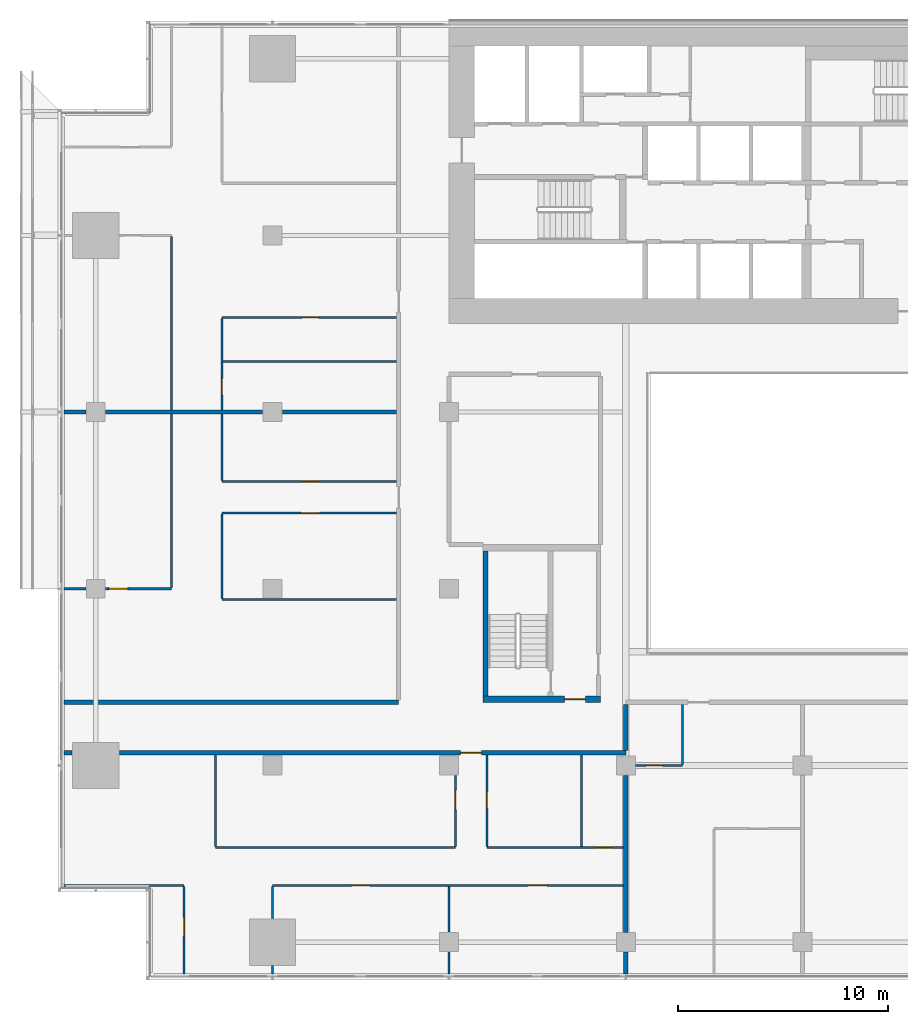
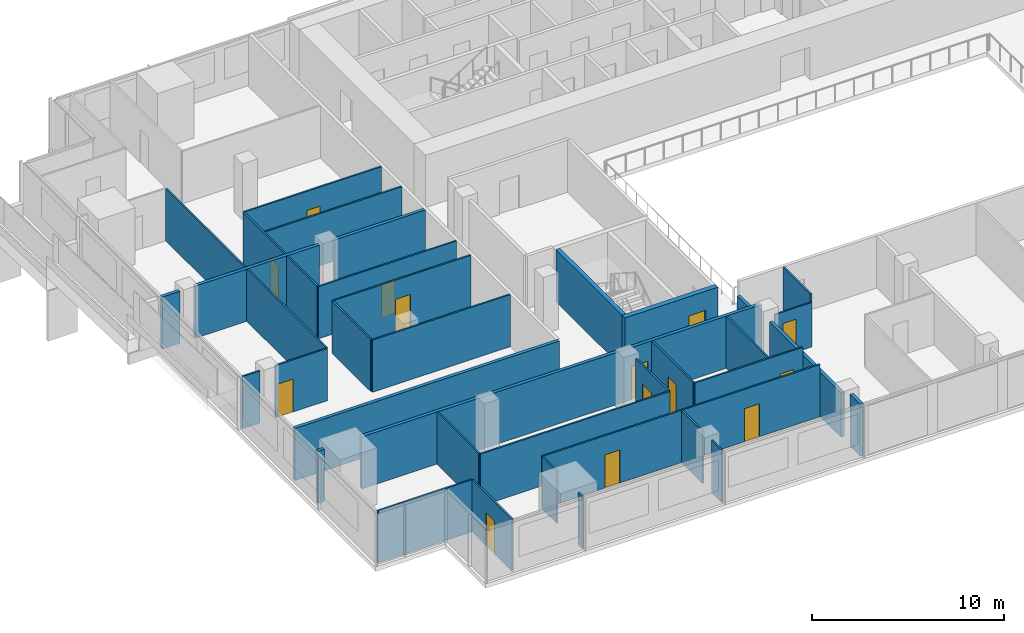
# One storey, part 16 of 25: 38 walls, 14 doors, 14 openings.
"""IFC4 building model written with IfcOpenShell, lengths in metres."""

from ifc_helpers import new_model, si_unit, direction, frame, frame_2d, origin, place, context, subcontext, project, spatial, rectangle, extrude, material, layer, layer_set, type_object, element, fill, save


model = new_model("IFC4")

# Units and contexts
model_context = context("Model", 3, precision=1e-05, world=origin(), true_north=direction((0.0, 1.0)))
body_context = subcontext(model_context, "Body", "Model", "MODEL_VIEW")
ifc_project = project(units=[si_unit("LENGTHUNIT", "METRE"), si_unit("AREAUNIT", "SQUARE_METRE"), si_unit("VOLUMEUNIT", "CUBIC_METRE"), si_unit("PLANEANGLEUNIT", "RADIAN"), si_unit("MASSUNIT", "GRAM", prefix="KILO")], contexts=[model_context])

# Site, building, storey
site_placement = place(None, origin())
site = spatial("IfcSite", under=ifc_project, at=site_placement, CompositionType="ELEMENT")
building_placement = place(site_placement, origin())
building = spatial("IfcBuilding", under=site, at=building_placement, Name="Saffron Gate Tower", CompositionType="ELEMENT")
storey_placement = place(building_placement, frame((0.0, 0.0, 73.199951171875)))
storey = spatial("IfcBuildingStorey", under=building, at=storey_placement, Name="L17", CompositionType="ELEMENT", Elevation=73.199951171875)

# Wall
ifc_material_1 = material(Name="Concrete C70", Category="concrete")
ifc_layer_1 = layer(ifc_material_1, 0.25)
ifc_layer_set_1 = layer_set([ifc_layer_1], Name="CW2 RC core wall 250 C70")
wall_type_1 = type_object("IfcWallType", Name="CW2 RC core wall 250 C70", PredefinedType="SOLIDWALL", material=ifc_layer_set_1)
wall_1_placement = place(storey_placement, frame((68.324951171875, 43.5, 0.0), z_axis=(0.0, 0.0, 1.0), x_axis=(0.0, 1.0, 0.0)))
element("IfcWall", 1, at=wall_1_placement, inside=storey, type_object=wall_type_1, Name="Wall CW2-L17-D-2", PredefinedType="SOLIDWALL", context=body_context, shape_type="SweptSolid", body=[
    extrude(rectangle(XDim=6.89990234375, YDim=0.25, at=frame_2d((3.449951171875, 0.0))), origin(), (0.0, 0.0, 1.0), 3.320068359375),
])

# Wall, opening, door
ifc_layer_2 = layer(ifc_material_1, 0.300048828125)
ifc_layer_set_2 = layer_set([ifc_layer_2], Name="CW5 RC core wall 300 C70")
wall_type_2 = type_object("IfcWallType", Name="CW5 RC core wall 300 C70", PredefinedType="SOLIDWALL", material=ifc_layer_set_2)
wall_2_placement = place(storey_placement, frame((68.199951171875, 43.35009765625, 0.0), z_axis=(0.0, 0.0, 1.0), x_axis=(1.0, 0.0, 0.0)))
wall_2 = element("IfcWall", 2, at=wall_2_placement, inside=storey, type_object=wall_type_2, Name="Wall CW5-L17-D-1", PredefinedType="SOLIDWALL", context=body_context, shape_type="SweptSolid", body=[
    extrude(rectangle(XDim=5.60009765625, YDim=0.300048828125, at=frame_2d((2.800048828125, 0.0))), origin(), (0.0, 0.0, 1.0), 3.320068359375),
])
opening_1_placement = place(wall_2_placement, frame((3.875, 0.0, 0.0)))
opening_1 = element("IfcOpeningElement", 3, at=opening_1_placement, cuts=wall_2, Name="Opening CR-18", PredefinedType="OPENING", context=body_context, shape_type="SweptSolid", body=[
    extrude(rectangle(XDim=1.0, YDim=2.10009765625, at=frame_2d((0.5, 1.050048828125))), frame((0.0, 0.16015625, 0.0), z_axis=(0.0, -1.0, 0.0), x_axis=(1.0, 0.0, 0.0)), (0.0, 0.0, 1.0), 0.320068359375),
])
ifc_material_2 = material(Name="Steel fire door set", Category="steel")
door_type_1 = type_object("IfcDoorType", Name="CD4 Lobby door 1000x2100 EI 120", OperationType="NOTDEFINED", PredefinedType="DOOR", material=ifc_material_2)
door_1_placement = place(opening_1_placement, origin())
door_1 = element("IfcDoor", 4, at=door_1_placement, inside=storey, type_object=door_type_1, Name="DOOR CR-18", OperationType="SINGLE_SWING_RIGHT", OverallHeight=2.10009765625, OverallWidth=1.0, PredefinedType="DOOR", context=body_context, shape_type="SweptSolid", body=[
    extrude(rectangle(XDim=1.0, YDim=2.10009765625, at=frame_2d((0.5, 1.050048828125))), frame((0.0, 0.02490234375, 0.0), z_axis=(0.0, -1.0, 0.0), x_axis=(1.0, 0.0, 0.0)), (0.0, 0.0, 1.0), 0.050048828125),
])
fill(opening_1, door_1)

# Wall
ifc_material_3 = material(Name="Plasterboard on steel studs", Category="steel")
ifc_layer_3 = layer(ifc_material_3, 0.10009765625)
ifc_layer_set_3 = layer_set([ifc_layer_3], Name="PW1 Partition 100")
wall_type_3 = type_object("IfcWallType", Name="PW1 Partition 100", PredefinedType="PARTITIONING", material=ifc_layer_set_3)
wall_3_placement = place(storey_placement, frame((48.280029296875, 34.5, 0.0), z_axis=(0.0, 0.0, 1.0), x_axis=(1.0, 0.0, 0.0)))
element("IfcWall", 5, at=wall_3_placement, inside=storey, type_object=wall_type_3, Name="Partition A4-1", PredefinedType="PARTITIONING", context=body_context, shape_type="SweptSolid", body=[
    extrude(rectangle(XDim=5.719970703125, YDim=0.10009765625, at=frame_2d((2.85986328125, 0.0))), origin(), (0.0, 0.0, 1.0), 3.320068359375),
])

# Wall, openings, doors
wall_4_placement = place(storey_placement, frame((74.89990234375, 34.5, 0.0), z_axis=(0.0, 0.0, 1.0), x_axis=(-1.0, 0.0, 0.0)))
wall_4 = element("IfcWall", 6, at=wall_4_placement, inside=storey, type_object=wall_type_3, Name="Partition A4-2", PredefinedType="PARTITIONING", context=body_context, shape_type="SweptSolid", body=[
    extrude(rectangle(XDim=16.699951171875, YDim=0.10009765625, at=frame_2d((8.35009765625, 0.0))), origin(), (0.0, 0.0, 1.0), 3.320068359375),
])
opening_2_placement = place(wall_4_placement, frame((3.64990234375, 0.0, 0.0)))
opening_2 = element("IfcOpeningElement", 7, at=opening_2_placement, cuts=wall_4, Name="Opening A4-11", PredefinedType="OPENING", context=body_context, shape_type="SweptSolid", body=[
    extrude(rectangle(XDim=0.89990234375, YDim=2.10009765625, at=frame_2d((0.449951171875, 1.050048828125))), frame((0.0, 0.06005859375, 0.0), z_axis=(0.0, -1.0, 0.0), x_axis=(1.0, 0.0, 0.0)), (0.0, 0.0, 1.0), 0.1201171875),
])
opening_3_placement = place(wall_4_placement, frame((12.050048828125, 0.0, 0.0)))
opening_3 = element("IfcOpeningElement", 8, at=opening_3_placement, cuts=wall_4, Name="Opening A4-10", PredefinedType="OPENING", context=body_context, shape_type="SweptSolid", body=[
    extrude(rectangle(XDim=0.89990234375, YDim=2.10009765625, at=frame_2d((0.449951171875, 1.050048828125))), frame((0.0, 0.06005859375, 0.0), z_axis=(0.0, -1.0, 0.0), x_axis=(1.0, 0.0, 0.0)), (0.0, 0.0, 1.0), 0.1201171875),
])
ifc_material_4 = material(Name="Timber door set", Category="wood")
door_type_2 = type_object("IfcDoorType", Name="RD1 Room door 900x2100", OperationType="NOTDEFINED", PredefinedType="DOOR", material=ifc_material_4)
door_2_placement = place(opening_2_placement, origin())
door_2 = element("IfcDoor", 9, at=door_2_placement, inside=storey, type_object=door_type_2, Name="Door A4-11", OperationType="SINGLE_SWING_LEFT", OverallHeight=2.10009765625, OverallWidth=0.89990234375, PredefinedType="DOOR", context=body_context, shape_type="SweptSolid", body=[
    extrude(rectangle(XDim=0.89990234375, YDim=2.10009765625, at=frame_2d((0.449951171875, 1.050048828125))), frame((0.0, 0.02490234375, 0.0), z_axis=(0.0, -1.0, 0.0), x_axis=(1.0, 0.0, 0.0)), (0.0, 0.0, 1.0), 0.050048828125),
])
fill(opening_2, door_2)
door_3_placement = place(opening_3_placement, origin())
door_3 = element("IfcDoor", 10, at=door_3_placement, inside=storey, type_object=door_type_2, Name="Door A4-10", OperationType="SINGLE_SWING_RIGHT", OverallHeight=2.10009765625, OverallWidth=0.89990234375, PredefinedType="DOOR", context=body_context, shape_type="SweptSolid", body=[
    extrude(rectangle(XDim=0.89990234375, YDim=2.10009765625, at=frame_2d((0.449951171875, 1.050048828125))), frame((0.0, 0.02490234375, 0.0), z_axis=(0.0, -1.0, 0.0), x_axis=(1.0, 0.0, 0.0)), (0.0, 0.0, 1.0), 0.050048828125),
])
fill(opening_3, door_3)

# Wall
wall_5_placement = place(storey_placement, frame((55.5, 36.300048828125, 0.0), z_axis=(0.0, 0.0, 1.0), x_axis=(1.0, 0.0, 0.0)))
element("IfcWall", 11, at=wall_5_placement, inside=storey, type_object=wall_type_3, Name="Partition A4-4", PredefinedType="PARTITIONING", context=body_context, shape_type="SweptSolid", body=[
    extrude(rectangle(XDim=11.39990234375, YDim=0.10009765625, at=frame_2d((5.699951171875, 0.0))), origin(), (0.0, 0.0, 1.0), 3.320068359375),
])

# Wall, opening, door
wall_6_placement = place(storey_placement, frame((68.39990234375, 36.300048828125, 0.0), z_axis=(0.0, 0.0, 1.0), x_axis=(1.0, 0.0, 0.0)))
wall_6 = element("IfcWall", 12, at=wall_6_placement, inside=storey, type_object=wall_type_3, Name="Partition A4-5", PredefinedType="PARTITIONING", context=body_context, shape_type="SweptSolid", body=[
    extrude(rectangle(XDim=6.5, YDim=0.10009765625, at=frame_2d((3.25, 0.0))), origin(), (0.0, 0.0, 1.0), 3.320068359375),
])
opening_4_placement = place(wall_6_placement, frame((5.14990234375, 0.0, 0.0)))
opening_4 = element("IfcOpeningElement", 13, at=opening_4_placement, cuts=wall_6, Name="Opening A4-35", PredefinedType="OPENING", context=body_context, shape_type="SweptSolid", body=[
    extrude(rectangle(XDim=0.800048828125, YDim=2.10009765625, at=frame_2d((0.39990234375, 1.050048828125))), frame((0.0, 0.06005859375, 0.0), z_axis=(0.0, -1.0, 0.0), x_axis=(1.0, 0.0, 0.0)), (0.0, 0.0, 1.0), 0.1201171875),
])
door_type_3 = type_object("IfcDoorType", Name="RD2 Bathroom door 800x2100", OperationType="NOTDEFINED", PredefinedType="DOOR", material=ifc_material_4)
door_4_placement = place(opening_4_placement, origin())
door_4 = element("IfcDoor", 14, at=door_4_placement, inside=storey, type_object=door_type_3, Name="Door A4-35", OperationType="SINGLE_SWING_RIGHT", OverallHeight=2.10009765625, OverallWidth=0.800048828125, PredefinedType="DOOR", context=body_context, shape_type="SweptSolid", body=[
    extrude(rectangle(XDim=0.800048828125, YDim=2.10009765625, at=frame_2d((0.39990234375, 1.050048828125))), frame((0.0, 0.02490234375, 0.0), z_axis=(0.0, -1.0, 0.0), x_axis=(1.0, 0.0, 0.0)), (0.0, 0.0, 1.0), 0.050048828125),
])
fill(opening_4, door_4)

wall_7_placement = place(storey_placement, frame((75.469970703125, 40.199951171875, 0.0), z_axis=(0.0, 0.0, 1.0), x_axis=(1.0, 0.0, 0.0)))
wall_7 = element("IfcWall", 15, at=wall_7_placement, inside=storey, type_object=wall_type_3, Name="Partition A4-9", PredefinedType="PARTITIONING", context=body_context, shape_type="SweptSolid", body=[
    extrude(rectangle(XDim=2.22998046875, YDim=0.10009765625, at=frame_2d((1.114990234375, 0.0))), origin(), (0.0, 0.0, 1.0), 2.830078125),
])
opening_5_placement = place(wall_7_placement, frame((0.47998046875, 0.0, 0.0)))
opening_5 = element("IfcOpeningElement", 16, at=opening_5_placement, cuts=wall_7, Name="Opening A4-36", PredefinedType="OPENING", context=body_context, shape_type="SweptSolid", body=[
    extrude(rectangle(XDim=0.800048828125, YDim=2.10009765625, at=frame_2d((0.39990234375, 1.050048828125))), frame((0.0, 0.06005859375, 0.0), z_axis=(0.0, -1.0, 0.0), x_axis=(1.0, 0.0, 0.0)), (0.0, 0.0, 1.0), 0.1201171875),
])
door_5_placement = place(opening_5_placement, origin())
door_5 = element("IfcDoor", 17, at=door_5_placement, inside=storey, type_object=door_type_3, Name="Door A4-36", OperationType="SINGLE_SWING_LEFT", OverallHeight=2.10009765625, OverallWidth=0.800048828125, PredefinedType="DOOR", context=body_context, shape_type="SweptSolid", body=[
    extrude(rectangle(XDim=0.800048828125, YDim=2.10009765625, at=frame_2d((0.39990234375, 1.050048828125))), frame((0.0, 0.02490234375, 0.0), z_axis=(0.0, -1.0, 0.0), x_axis=(1.0, 0.0, 0.0)), (0.0, 0.0, 1.0), 0.050048828125),
])
fill(opening_5, door_5)

# Walls
wall_8_placement = place(storey_placement, frame((55.800048828125, 48.0810546875, 0.0), z_axis=(0.0, 0.0, 1.0), x_axis=(1.0, 0.0, 0.0)))
element("IfcWall", 18, at=wall_8_placement, inside=storey, type_object=wall_type_3, Name="Partition A4-18", PredefinedType="PARTITIONING", context=body_context, shape_type="SweptSolid", body=[
    extrude(rectangle(XDim=8.300048828125, YDim=0.10009765625, at=frame_2d((4.14990234375, 0.0))), origin(), (0.0, 0.0, 1.0), 3.320068359375),
])
wall_9_placement = place(storey_placement, frame((48.280029296875, 48.60009765625, 0.0), z_axis=(0.0, 0.0, 1.0), x_axis=(1.0, 0.0, 0.0)))
element("IfcWall", 19, at=wall_9_placement, inside=storey, type_object=wall_type_3, Name="Partition A4-19", PredefinedType="PARTITIONING", context=body_context, shape_type="SweptSolid", body=[
    extrude(rectangle(XDim=1.050048828125, YDim=0.10009765625, at=frame_2d((0.52490234375, 0.0))), origin(), (0.0, 0.0, 1.0), 3.320068359375),
])

# Wall, opening, door
wall_10_placement = place(storey_placement, frame((50.27001953125, 48.60009765625, 0.0), z_axis=(0.0, 0.0, 1.0), x_axis=(1.0, 0.0, 0.0)))
wall_10 = element("IfcWall", 20, at=wall_10_placement, inside=storey, type_object=wall_type_3, Name="Partition A4-20", PredefinedType="PARTITIONING", context=body_context, shape_type="SweptSolid", body=[
    extrude(rectangle(XDim=3.1298828125, YDim=0.10009765625, at=frame_2d((1.56494140625, 0.0))), origin(), (0.0, 0.0, 1.0), 3.320068359375),
])
opening_6_placement = place(wall_10_placement, frame((0.14990234375, 0.0, 0.0)))
opening_6 = element("IfcOpeningElement", 21, at=opening_6_placement, cuts=wall_10, Name="Opening A4-23", PredefinedType="OPENING", context=body_context, shape_type="SweptSolid", body=[
    extrude(rectangle(XDim=0.89990234375, YDim=2.10009765625, at=frame_2d((0.449951171875, 1.050048828125))), frame((0.0, 0.06005859375, 0.0), z_axis=(0.0, -1.0, 0.0), x_axis=(1.0, 0.0, 0.0)), (0.0, 0.0, 1.0), 0.1201171875),
])
door_6_placement = place(opening_6_placement, origin())
door_6 = element("IfcDoor", 22, at=door_6_placement, inside=storey, type_object=door_type_2, Name="Door A4-23", OperationType="SINGLE_SWING_LEFT", OverallHeight=2.10009765625, OverallWidth=0.89990234375, PredefinedType="DOOR", context=body_context, shape_type="SweptSolid", body=[
    extrude(rectangle(XDim=0.89990234375, YDim=2.10009765625, at=frame_2d((0.449951171875, 1.050048828125))), frame((0.0, 0.02490234375, 0.0), z_axis=(0.0, -1.0, 0.0), x_axis=(1.0, 0.0, 0.0)), (0.0, 0.0, 1.0), 0.050048828125),
])
fill(opening_6, door_6)

wall_11_placement = place(storey_placement, frame((64.10009765625, 52.199951171875, 0.0), z_axis=(0.0, 0.0, 1.0), x_axis=(-1.0, 0.0, 0.0)))
wall_11 = element("IfcWall", 23, at=wall_11_placement, inside=storey, type_object=wall_type_3, Name="Partition A4-25", PredefinedType="PARTITIONING", context=body_context, shape_type="SweptSolid", body=[
    extrude(rectangle(XDim=8.300048828125, YDim=0.10009765625, at=frame_2d((4.14990234375, 0.0))), origin(), (0.0, 0.0, 1.0), 3.320068359375),
])
opening_7_placement = place(wall_11_placement, frame((3.64990234375, 0.0, 0.0)))
opening_7 = element("IfcOpeningElement", 24, at=opening_7_placement, cuts=wall_11, Name="Opening A4-24", PredefinedType="OPENING", context=body_context, shape_type="SweptSolid", body=[
    extrude(rectangle(XDim=0.89990234375, YDim=2.10009765625, at=frame_2d((0.449951171875, 1.050048828125))), frame((0.0, 0.06005859375, 0.0), z_axis=(0.0, -1.0, 0.0), x_axis=(1.0, 0.0, 0.0)), (0.0, 0.0, 1.0), 0.1201171875),
])
door_7_placement = place(opening_7_placement, origin())
door_7 = element("IfcDoor", 25, at=door_7_placement, inside=storey, type_object=door_type_2, Name="Door A4-24", OperationType="SINGLE_SWING_LEFT", OverallHeight=2.10009765625, OverallWidth=0.89990234375, PredefinedType="DOOR", context=body_context, shape_type="SweptSolid", body=[
    extrude(rectangle(XDim=0.89990234375, YDim=2.10009765625, at=frame_2d((0.449951171875, 1.050048828125))), frame((0.0, 0.02490234375, 0.0), z_axis=(0.0, -1.0, 0.0), x_axis=(1.0, 0.0, 0.0)), (0.0, 0.0, 1.0), 0.050048828125),
])
fill(opening_7, door_7)

wall_12_placement = place(storey_placement, frame((55.800048828125, 53.699951171875, 0.0), z_axis=(0.0, 0.0, 1.0), x_axis=(1.0, 0.0, 0.0)))
wall_12 = element("IfcWall", 26, at=wall_12_placement, inside=storey, type_object=wall_type_3, Name="Partition A4-26", PredefinedType="PARTITIONING", context=body_context, shape_type="SweptSolid", body=[
    extrude(rectangle(XDim=8.300048828125, YDim=0.10009765625, at=frame_2d((4.14990234375, 0.0))), origin(), (0.0, 0.0, 1.0), 3.320068359375),
])
opening_8_placement = place(wall_12_placement, frame((3.800048828125, 0.0, 0.0)))
opening_8 = element("IfcOpeningElement", 27, at=opening_8_placement, cuts=wall_12, Name="Opening A4-40", PredefinedType="OPENING", context=body_context, shape_type="SweptSolid", body=[
    extrude(rectangle(XDim=0.800048828125, YDim=2.10009765625, at=frame_2d((0.39990234375, 1.050048828125))), frame((0.0, 0.06005859375, 0.0), z_axis=(0.0, -1.0, 0.0), x_axis=(1.0, 0.0, 0.0)), (0.0, 0.0, 1.0), 0.1201171875),
])
door_8_placement = place(opening_8_placement, origin())
door_8 = element("IfcDoor", 28, at=door_8_placement, inside=storey, type_object=door_type_3, Name="Door A4-40", OperationType="SINGLE_SWING_RIGHT", OverallHeight=2.10009765625, OverallWidth=0.800048828125, PredefinedType="DOOR", context=body_context, shape_type="SweptSolid", body=[
    extrude(rectangle(XDim=0.800048828125, YDim=2.10009765625, at=frame_2d((0.39990234375, 1.050048828125))), frame((0.0, 0.02490234375, 0.0), z_axis=(0.0, -1.0, 0.0), x_axis=(1.0, 0.0, 0.0)), (0.0, 0.0, 1.0), 0.050048828125),
])
fill(opening_8, door_8)

# Wall
wall_13_placement = place(storey_placement, frame((55.85009765625, 59.39990234375, 0.0), z_axis=(0.0, 0.0, 1.0), x_axis=(1.0, 0.0, 0.0)))
element("IfcWall", 29, at=wall_13_placement, inside=storey, type_object=wall_type_3, Name="Partition A4-38", PredefinedType="PARTITIONING", context=body_context, shape_type="SweptSolid", body=[
    extrude(rectangle(XDim=8.25, YDim=0.10009765625, at=frame_2d((4.125, 0.0))), origin(), (0.0, 0.0, 1.0), 3.320068359375),
])

# Wall, opening, door
wall_14_placement = place(storey_placement, frame((64.10009765625, 61.5, 0.0), z_axis=(0.0, 0.0, 1.0), x_axis=(-1.0, 0.0, 0.0)))
wall_14 = element("IfcWall", 30, at=wall_14_placement, inside=storey, type_object=wall_type_3, Name="Partition A4-39", PredefinedType="PARTITIONING", context=body_context, shape_type="SweptSolid", body=[
    extrude(rectangle(XDim=8.300048828125, YDim=0.10009765625, at=frame_2d((4.14990234375, 0.0))), origin(), (0.0, 0.0, 1.0), 3.320068359375),
])
opening_9_placement = place(wall_14_placement, frame((3.699951171875, 0.0, 0.0)))
opening_9 = element("IfcOpeningElement", 31, at=opening_9_placement, cuts=wall_14, Name="Opening A4-42", PredefinedType="OPENING", context=body_context, shape_type="SweptSolid", body=[
    extrude(rectangle(XDim=0.800048828125, YDim=2.10009765625, at=frame_2d((0.39990234375, 1.050048828125))), frame((0.0, 0.06005859375, 0.0), z_axis=(0.0, -1.0, 0.0), x_axis=(1.0, 0.0, 0.0)), (0.0, 0.0, 1.0), 0.1201171875),
])
door_9_placement = place(opening_9_placement, origin())
door_9 = element("IfcDoor", 32, at=door_9_placement, inside=storey, type_object=door_type_3, Name="Door A4-42", OperationType="SINGLE_SWING_LEFT", OverallHeight=2.10009765625, OverallWidth=0.800048828125, PredefinedType="DOOR", context=body_context, shape_type="SweptSolid", body=[
    extrude(rectangle(XDim=0.800048828125, YDim=2.10009765625, at=frame_2d((0.39990234375, 1.050048828125))), frame((0.0, 0.02490234375, 0.0), z_axis=(0.0, -1.0, 0.0), x_axis=(1.0, 0.0, 0.0)), (0.0, 0.0, 1.0), 0.050048828125),
])
fill(opening_9, door_9)

wall_15_placement = place(storey_placement, frame((54.0, 30.280029296875, 0.0), z_axis=(0.0, 0.0, 1.0), x_axis=(0.0, 1.0, 0.0)))
wall_15 = element("IfcWall", 33, at=wall_15_placement, inside=storey, type_object=wall_type_3, Name="Partition A4-51", PredefinedType="PARTITIONING", context=body_context, shape_type="SweptSolid", body=[
    extrude(rectangle(XDim=4.169921875, YDim=0.10009765625, at=frame_2d((2.0849609375, 0.0))), origin(), (0.0, 0.0, 1.0), 3.320068359375),
])
opening_10_placement = place(wall_15_placement, frame((1.802734375, 0.0, 0.0)))
opening_10 = element("IfcOpeningElement", 34, at=opening_10_placement, cuts=wall_15, Name="Opening A4-9", PredefinedType="OPENING", context=body_context, shape_type="SweptSolid", body=[
    extrude(rectangle(XDim=0.89990234375, YDim=2.10009765625, at=frame_2d((0.449951171875, 1.050048828125))), frame((0.0, 0.06005859375, 0.0), z_axis=(0.0, -1.0, 0.0), x_axis=(1.0, 0.0, 0.0)), (0.0, 0.0, 1.0), 0.1201171875),
])
door_10_placement = place(opening_10_placement, origin())
door_10 = element("IfcDoor", 35, at=door_10_placement, inside=storey, type_object=door_type_2, Name="Door A4-9", OperationType="SINGLE_SWING_RIGHT", OverallHeight=2.10009765625, OverallWidth=0.89990234375, PredefinedType="DOOR", context=body_context, shape_type="SweptSolid", body=[
    extrude(rectangle(XDim=0.89990234375, YDim=2.10009765625, at=frame_2d((0.449951171875, 1.050048828125))), frame((0.0, 0.02490234375, 0.0), z_axis=(0.0, -1.0, 0.0), x_axis=(1.0, 0.0, 0.0)), (0.0, 0.0, 1.0), 0.050048828125),
])
fill(opening_10, door_10)

# Walls
wall_16_placement = place(storey_placement, frame((55.5, 40.699951171875, 0.0), z_axis=(0.0, 0.0, 1.0), x_axis=(0.0, -1.0, 0.0)))
element("IfcWall", 36, at=wall_16_placement, inside=storey, type_object=wall_type_3, Name="Partition A4-52", PredefinedType="PARTITIONING", context=body_context, shape_type="SweptSolid", body=[
    extrude(rectangle(XDim=4.349853515625, YDim=0.10009765625, at=frame_2d((2.1748046875, 0.0))), origin(), (0.0, 0.0, 1.0), 3.320068359375),
])
wall_17_placement = place(storey_placement, frame((55.800048828125, 52.14990234375, 0.0), z_axis=(0.0, 0.0, 1.0), x_axis=(0.0, -1.0, 0.0)))
element("IfcWall", 37, at=wall_17_placement, inside=storey, type_object=wall_type_3, Name="Partition A4-53", PredefinedType="PARTITIONING", context=body_context, shape_type="SweptSolid", body=[
    extrude(rectangle(XDim=4.018798828125, YDim=0.10009765625, at=frame_2d((2.00927734375, 0.0))), origin(), (0.0, 0.0, 1.0), 3.320068359375),
])
wall_18_placement = place(storey_placement, frame((58.199951171875, 30.679931640625, 0.0), z_axis=(0.0, 0.0, 1.0), x_axis=(0.0, -1.0, 0.0)))
element("IfcWall", 38, at=wall_18_placement, inside=storey, type_object=wall_type_3, Name="Partition A4-55", PredefinedType="PARTITIONING", context=body_context, shape_type="SweptSolid", body=[
    extrude(rectangle(XDim=0.39990234375, YDim=0.10009765625, at=frame_2d((0.199951171875, 0.0))), origin(), (0.0, 0.0, 1.0), 3.320068359375),
])
wall_19_placement = place(storey_placement, frame((58.199951171875, 34.449951171875, 0.0), z_axis=(0.0, 0.0, 1.0), x_axis=(0.0, -1.0, 0.0)))
element("IfcWall", 39, at=wall_19_placement, inside=storey, type_object=wall_type_3, Name="Partition A4-56", PredefinedType="PARTITIONING", context=body_context, shape_type="SweptSolid", body=[
    extrude(rectangle(XDim=1.530029296875, YDim=0.10009765625, at=frame_2d((0.76513671875, 0.0))), origin(), (0.0, 0.0, 1.0), 3.320068359375),
])
wall_20_placement = place(storey_placement, frame((66.60009765625, 31.330078125, 0.0), z_axis=(0.0, 0.0, 1.0), x_axis=(0.0, -1.0, 0.0)))
element("IfcWall", 40, at=wall_20_placement, inside=storey, type_object=wall_type_3, Name="Partition A4-60", PredefinedType="PARTITIONING", context=body_context, shape_type="SweptSolid", body=[
    extrude(rectangle(XDim=1.050048828125, YDim=0.10009765625, at=frame_2d((0.52490234375, 0.0))), origin(), (0.0, 0.0, 1.0), 3.320068359375),
])
wall_21_placement = place(storey_placement, frame((66.60009765625, 34.449951171875, 0.0), z_axis=(0.0, 0.0, 1.0), x_axis=(0.0, -1.0, 0.0)))
element("IfcWall", 41, at=wall_21_placement, inside=storey, type_object=wall_type_3, Name="Partition A4-61", PredefinedType="PARTITIONING", context=body_context, shape_type="SweptSolid", body=[
    extrude(rectangle(XDim=2.179931640625, YDim=0.10009765625, at=frame_2d((1.08984375, 0.0))), origin(), (0.0, 0.0, 1.0), 3.320068359375),
])

# Wall, opening, door
wall_22_placement = place(storey_placement, frame((66.89990234375, 36.35009765625, 0.0), z_axis=(0.0, 0.0, 1.0), x_axis=(0.0, 1.0, 0.0)))
wall_22 = element("IfcWall", 42, at=wall_22_placement, inside=storey, type_object=wall_type_3, Name="Partition A4-62", PredefinedType="PARTITIONING", context=body_context, shape_type="SweptSolid", body=[
    extrude(rectangle(XDim=3.3798828125, YDim=0.10009765625, at=frame_2d((1.68994140625, 0.0))), origin(), (0.0, 0.0, 1.0), 3.320068359375),
])
opening_11_placement = place(wall_22_placement, frame((1.75, 0.0, 0.0)))
opening_11 = element("IfcOpeningElement", 43, at=opening_11_placement, cuts=wall_22, Name="Opening A4-12", PredefinedType="OPENING", context=body_context, shape_type="SweptSolid", body=[
    extrude(rectangle(XDim=0.89990234375, YDim=2.10009765625, at=frame_2d((0.449951171875, 1.050048828125))), frame((0.0, 0.06005859375, 0.0), z_axis=(0.0, -1.0, 0.0), x_axis=(1.0, 0.0, 0.0)), (0.0, 0.0, 1.0), 0.1201171875),
])
door_11_placement = place(opening_11_placement, origin())
door_11 = element("IfcDoor", 44, at=door_11_placement, inside=storey, type_object=door_type_2, Name="Door A4-12", OperationType="SINGLE_SWING_RIGHT", OverallHeight=2.10009765625, OverallWidth=0.89990234375, PredefinedType="DOOR", context=body_context, shape_type="SweptSolid", body=[
    extrude(rectangle(XDim=0.89990234375, YDim=2.10009765625, at=frame_2d((0.449951171875, 1.050048828125))), frame((0.0, 0.02490234375, 0.0), z_axis=(0.0, -1.0, 0.0), x_axis=(1.0, 0.0, 0.0)), (0.0, 0.0, 1.0), 0.050048828125),
])
fill(opening_11, door_11)

wall_23_placement = place(storey_placement, frame((68.39990234375, 40.699951171875, 0.0), z_axis=(0.0, 0.0, 1.0), x_axis=(0.0, -1.0, 0.0)))
wall_23 = element("IfcWall", 45, at=wall_23_placement, inside=storey, type_object=wall_type_3, Name="Partition A4-63", PredefinedType="PARTITIONING", context=body_context, shape_type="SweptSolid", body=[
    extrude(rectangle(XDim=4.349853515625, YDim=0.10009765625, at=frame_2d((2.1748046875, 0.0))), origin(), (0.0, 0.0, 1.0), 3.320068359375),
])
opening_12_placement = place(wall_23_placement, frame((1.75, 0.0, 0.0)))
opening_12 = element("IfcOpeningElement", 46, at=opening_12_placement, cuts=wall_23, Name="Opening A4-34", PredefinedType="OPENING", context=body_context, shape_type="SweptSolid", body=[
    extrude(rectangle(XDim=0.800048828125, YDim=2.10009765625, at=frame_2d((0.39990234375, 1.050048828125))), frame((0.0, 0.06005859375, 0.0), z_axis=(0.0, -1.0, 0.0), x_axis=(1.0, 0.0, 0.0)), (0.0, 0.0, 1.0), 0.1201171875),
])
door_12_placement = place(opening_12_placement, origin())
door_12 = element("IfcDoor", 47, at=door_12_placement, inside=storey, type_object=door_type_3, Name="Door A4-34", OperationType="SINGLE_SWING_LEFT", OverallHeight=2.10009765625, OverallWidth=0.800048828125, PredefinedType="DOOR", context=body_context, shape_type="SweptSolid", body=[
    extrude(rectangle(XDim=0.800048828125, YDim=2.10009765625, at=frame_2d((0.39990234375, 1.050048828125))), frame((0.0, 0.02490234375, 0.0), z_axis=(0.0, -1.0, 0.0), x_axis=(1.0, 0.0, 0.0)), (0.0, 0.0, 1.0), 0.050048828125),
])
fill(opening_12, door_12)

# Walls
wall_24_placement = place(storey_placement, frame((72.89990234375, 40.699951171875, 0.0), z_axis=(0.0, 0.0, 1.0), x_axis=(0.0, -1.0, 0.0)))
element("IfcWall", 48, at=wall_24_placement, inside=storey, type_object=wall_type_3, Name="Partition A4-64", PredefinedType="PARTITIONING", context=body_context, shape_type="SweptSolid", body=[
    extrude(rectangle(XDim=4.349853515625, YDim=0.10009765625, at=frame_2d((2.1748046875, 0.0))), origin(), (0.0, 0.0, 1.0), 3.320068359375),
])
wall_25_placement = place(storey_placement, frame((77.699951171875, 43.10009765625, 0.0), z_axis=(0.0, 0.0, 1.0), x_axis=(0.0, -1.0, 0.0)))
element("IfcWall", 49, at=wall_25_placement, inside=storey, type_object=wall_type_3, Name="Partition A4-69", PredefinedType="PARTITIONING", context=body_context, shape_type="SweptSolid", body=[
    extrude(rectangle(XDim=2.85009765625, YDim=0.10009765625, at=frame_2d((1.425048828125, 0.0))), origin(), (0.0, 0.0, 1.0), 3.320068359375),
])
for number, where, z_axis, x_axis, name in (
    (50, (53.39990234375, 56.89990234375, 0.0), (0.0, 0.0, 1.0), (0.0, -1.0, 0.0), "Partition A4-105"),
    (51, (53.39990234375, 65.35009765625, 0.0), (0.0, 0.0, 1.0), (0.0, -1.0, 0.0), "Partition A4-106"),
):
    element("IfcWall", number, at=place(storey_placement, frame(where, z_axis=z_axis, x_axis=x_axis)), inside=storey, type_object=wall_type_3, Name=name, PredefinedType="PARTITIONING", context=body_context, shape_type="SweptSolid", body=[
        extrude(rectangle(XDim=8.25, YDim=0.10009765625, at=frame_2d((4.125, 0.0))), origin(), (0.0, 0.0, 1.0), 3.320068359375),
    ])
wall_26_placement = place(storey_placement, frame((55.800048828125, 56.89990234375, 0.0), z_axis=(0.0, 0.0, 1.0), x_axis=(0.0, -1.0, 0.0)))
element("IfcWall", 52, at=wall_26_placement, inside=storey, type_object=wall_type_3, Name="Partition A4-107", PredefinedType="PARTITIONING", context=body_context, shape_type="SweptSolid", body=[
    extrude(rectangle(XDim=3.14990234375, YDim=0.10009765625, at=frame_2d((1.574951171875, 0.0))), origin(), (0.0, 0.0, 1.0), 3.320068359375),
])

# Wall, opening, door
wall_27_placement = place(storey_placement, frame((55.800048828125, 61.449951171875, 0.0), z_axis=(0.0, 0.0, 1.0), x_axis=(0.0, -1.0, 0.0)))
wall_27 = element("IfcWall", 53, at=wall_27_placement, inside=storey, type_object=wall_type_3, Name="Partition A4-108", PredefinedType="PARTITIONING", context=body_context, shape_type="SweptSolid", body=[
    extrude(rectangle(XDim=4.349853515625, YDim=0.10009765625, at=frame_2d((2.1748046875, 0.0))), origin(), (0.0, 0.0, 1.0), 3.320068359375),
])
opening_13_placement = place(wall_27_placement, frame((2.85009765625, 0.0, 0.0)))
opening_13 = element("IfcOpeningElement", 54, at=opening_13_placement, cuts=wall_27, Name="Opening A4-41", PredefinedType="OPENING", context=body_context, shape_type="SweptSolid", body=[
    extrude(rectangle(XDim=0.800048828125, YDim=2.10009765625, at=frame_2d((0.39990234375, 1.050048828125))), frame((0.0, 0.06005859375, 0.0), z_axis=(0.0, -1.0, 0.0), x_axis=(1.0, 0.0, 0.0)), (0.0, 0.0, 1.0), 0.1201171875),
])
door_13_placement = place(opening_13_placement, origin())
door_13 = element("IfcDoor", 55, at=door_13_placement, inside=storey, type_object=door_type_3, Name="Door A4-41", OperationType="SINGLE_SWING_RIGHT", OverallHeight=2.10009765625, OverallWidth=0.800048828125, PredefinedType="DOOR", context=body_context, shape_type="SweptSolid", body=[
    extrude(rectangle(XDim=0.800048828125, YDim=2.10009765625, at=frame_2d((0.39990234375, 1.050048828125))), frame((0.0, 0.02490234375, 0.0), z_axis=(0.0, -1.0, 0.0), x_axis=(1.0, 0.0, 0.0)), (0.0, 0.0, 1.0), 0.050048828125),
])
fill(opening_13, door_13)

# Walls
ifc_material_5 = material(Name="Clay brick masonry, rendered", Category="masonry")
ifc_layer_4 = layer(ifc_material_5, 0.199951171875)
ifc_layer_set_4 = layer_set([ifc_layer_4], Name="PW2 Demising wall 200")
wall_type_4 = type_object("IfcWallType", Name="PW2 Demising wall 200", PredefinedType="PARTITIONING", material=ifc_layer_set_4)
wall_28_placement = place(storey_placement, frame((48.280029296875, 57.0, 0.0), z_axis=(0.0, 0.0, 1.0), x_axis=(1.0, 0.0, 0.0)))
element("IfcWall", 56, at=wall_28_placement, inside=storey, type_object=wall_type_4, Name="Wall A4-30", PredefinedType="PARTITIONING", context=body_context, shape_type="SweptSolid", body=[
    extrude(rectangle(XDim=1.050048828125, YDim=0.199951171875, at=frame_2d((0.52490234375, 0.0))), origin(), (0.0, 0.0, 1.0), 3.320068359375),
])
wall_29_placement = place(storey_placement, frame((50.27001953125, 57.0, 0.0), z_axis=(0.0, 0.0, 1.0), x_axis=(1.0, 0.0, 0.0)))
element("IfcWall", 57, at=wall_29_placement, inside=storey, type_object=wall_type_4, Name="Wall A4-31", PredefinedType="PARTITIONING", context=body_context, shape_type="SweptSolid", body=[
    extrude(rectangle(XDim=7.4599609375, YDim=0.199951171875, at=frame_2d((3.72998046875, 0.0))), origin(), (0.0, 0.0, 1.0), 3.320068359375),
])
wall_30_placement = place(storey_placement, frame((58.669921875, 57.0, 0.0), z_axis=(0.0, 0.0, 1.0), x_axis=(1.0, 0.0, 0.0)))
element("IfcWall", 58, at=wall_30_placement, inside=storey, type_object=wall_type_4, Name="Wall A4-32", PredefinedType="PARTITIONING", context=body_context, shape_type="SweptSolid", body=[
    extrude(rectangle(XDim=5.43017578125, YDim=0.199951171875, at=frame_2d((2.715087890625, 0.0))), origin(), (0.0, 0.0, 1.0), 3.320068359375),
])
wall_31_placement = place(storey_placement, frame((75.0, 31.330078125, 0.0), z_axis=(0.0, 0.0, 1.0), x_axis=(0.0, -1.0, 0.0)))
element("IfcWall", 59, at=wall_31_placement, inside=storey, type_object=wall_type_4, Name="Wall A4-67", PredefinedType="PARTITIONING", context=body_context, shape_type="SweptSolid", body=[
    extrude(rectangle(XDim=1.050048828125, YDim=0.199951171875, at=frame_2d((0.52490234375, 0.0))), origin(), (0.0, 0.0, 1.0), 3.320068359375),
])
wall_32_placement = place(storey_placement, frame((75.0, 39.72998046875, 0.0), z_axis=(0.0, 0.0, 1.0), x_axis=(0.0, -1.0, 0.0)))
element("IfcWall", 60, at=wall_32_placement, inside=storey, type_object=wall_type_4, Name="Wall A4-68", PredefinedType="PARTITIONING", context=body_context, shape_type="SweptSolid", body=[
    extrude(rectangle(XDim=7.4599609375, YDim=0.199951171875, at=frame_2d((3.72998046875, 0.0))), origin(), (0.0, 0.0, 1.0), 2.830078125),
])
ifc_layer_5 = layer(ifc_material_5, 0.199951171875)
ifc_layer_set_5 = layer_set([ifc_layer_5], Name="PW3 Corridor wall 200")
wall_type_5 = type_object("IfcWallType", Name="PW3 Corridor wall 200", PredefinedType="PARTITIONING", material=ifc_layer_set_5)
wall_33_placement = place(storey_placement, frame((48.280029296875, 40.800048828125, 0.0), z_axis=(0.0, 0.0, 1.0), x_axis=(1.0, 0.0, 0.0)))
element("IfcWall", 61, at=wall_33_placement, inside=storey, type_object=wall_type_5, Name="Wall A4-10", PredefinedType="PARTITIONING", context=body_context, shape_type="SweptSolid", body=[
    extrude(rectangle(XDim=0.39990234375, YDim=0.199951171875, at=frame_2d((0.199951171875, 0.0))), origin(), (0.0, 0.0, 1.0), 3.320068359375),
])

# Wall, opening, door
wall_34_placement = place(storey_placement, frame((75.0, 40.800048828125, 0.0), z_axis=(0.0, 0.0, 1.0), x_axis=(-1.0, 0.0, 0.0)))
wall_34 = element("IfcWall", 62, at=wall_34_placement, inside=storey, type_object=wall_type_5, Name="Wall A4-11", PredefinedType="PARTITIONING", context=body_context, shape_type="SweptSolid", body=[
    extrude(rectangle(XDim=24.080078125, YDim=0.199951171875, at=frame_2d((12.0400390625, 0.0))), origin(), (0.0, 0.0, 1.0), 3.320068359375),
])
opening_14_placement = place(wall_34_placement, frame((6.85009765625, 0.0, 0.0)))
opening_14 = element("IfcOpeningElement", 63, at=opening_14_placement, cuts=wall_34, Name="Opening A4-1", PredefinedType="OPENING", context=body_context, shape_type="SweptSolid", body=[
    extrude(rectangle(XDim=1.0, YDim=2.10009765625, at=frame_2d((0.5, 1.050048828125))), frame((0.0, 0.10986328125, 0.0), z_axis=(0.0, -1.0, 0.0), x_axis=(1.0, 0.0, 0.0)), (0.0, 0.0, 1.0), 0.219970703125),
])
ifc_material_6 = material(Name="Timber fire door set", Category="wood")
door_type_4 = type_object("IfcDoorType", Name="FD1 Flat entry door 1000x2100", OperationType="NOTDEFINED", PredefinedType="DOOR", material=ifc_material_6)
door_14_placement = place(opening_14_placement, origin())
door_14 = element("IfcDoor", 64, at=door_14_placement, inside=storey, type_object=door_type_4, Name="Door A4-1", OperationType="SINGLE_SWING_LEFT", OverallHeight=2.10009765625, OverallWidth=1.0, PredefinedType="DOOR", context=body_context, shape_type="SweptSolid", body=[
    extrude(rectangle(XDim=1.0, YDim=2.10009765625, at=frame_2d((0.5, 1.050048828125))), frame((0.0, 0.02490234375, 0.0), z_axis=(0.0, -1.0, 0.0), x_axis=(1.0, 0.0, 0.0)), (0.0, 0.0, 1.0), 0.050048828125),
])
fill(opening_14, door_14)

# Walls
wall_35_placement = place(storey_placement, frame((48.280029296875, 43.199951171875, 0.0), z_axis=(0.0, 0.0, 1.0), x_axis=(1.0, 0.0, 0.0)))
element("IfcWall", 65, at=wall_35_placement, inside=storey, type_object=wall_type_5, Name="Wall A4-14", PredefinedType="PARTITIONING", context=body_context, shape_type="SweptSolid", body=[
    extrude(rectangle(XDim=15.919921875, YDim=0.199951171875, at=frame_2d((7.9599609375, 0.0))), origin(), (0.0, 0.0, 1.0), 3.320068359375),
])
wall_36_placement = place(storey_placement, frame((75.0, 43.10009765625, 0.0), z_axis=(0.0, 0.0, 1.0), x_axis=(0.0, -1.0, 0.0)))
element("IfcWall", 66, at=wall_36_placement, inside=storey, type_object=wall_type_5, Name="Wall A4-66", PredefinedType="PARTITIONING", context=body_context, shape_type="SweptSolid", body=[
    extrude(rectangle(XDim=2.2001953125, YDim=0.199951171875, at=frame_2d((1.10009765625, 0.0))), origin(), (0.0, 0.0, 1.0), 2.429931640625),
])

save(model, "model.ifc")
